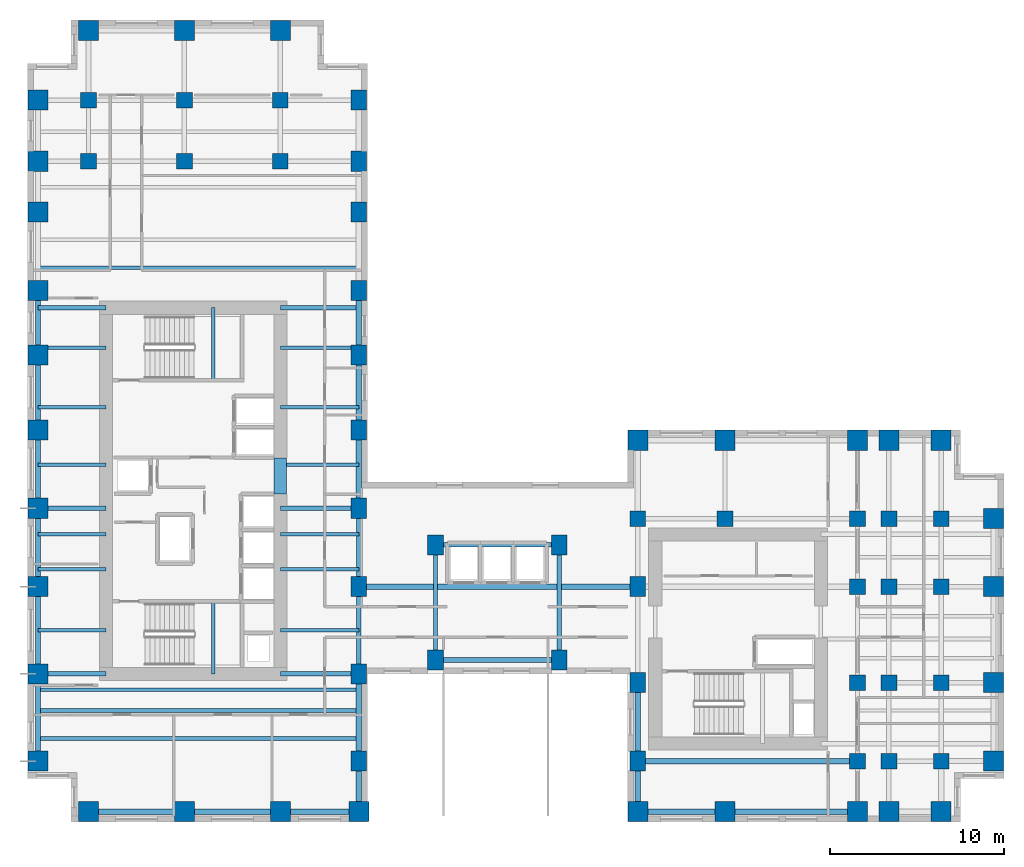
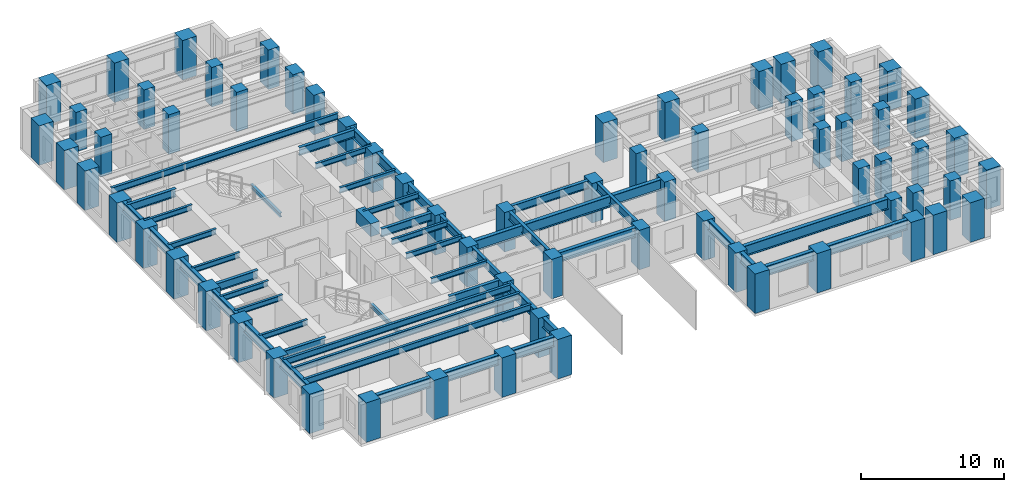
# One storey, part 1 of 11: 68 columns, 51 beams.
"""IFC4 building model written with IfcOpenShell, lengths in metres."""

from ifc_helpers import new_model, si_unit, direction, frame, origin, origin_2d, place, context, subcontext, project, spatial, rectangle, i_section, extrude, source, transform, mapped, material, material_profile, profile_set, type_object, element, save


model = new_model("IFC4")

# Units and contexts
model_context = context("Model", 3, precision=1e-05, world=origin(), true_north=direction((0.0, 1.0)))
body_context = subcontext(model_context, "Body", "Model", "MODEL_VIEW")
ifc_project = project(units=[si_unit("LENGTHUNIT", "METRE"), si_unit("AREAUNIT", "SQUARE_METRE"), si_unit("VOLUMEUNIT", "CUBIC_METRE"), si_unit("PLANEANGLEUNIT", "RADIAN"), si_unit("MASSUNIT", "GRAM", prefix="KILO")], contexts=[model_context])

# Site, building, storey
site_placement = place(None, origin())
site = spatial("IfcSite", under=ifc_project, at=site_placement, CompositionType="ELEMENT")
building_placement = place(site_placement, origin())
building = spatial("IfcBuilding", under=site, at=building_placement, Name="Kharzan Plaza Tower", CompositionType="ELEMENT")
storey_placement = place(building_placement, frame((0.0, 0.0, 120.60009765625)))
storey = spatial("IfcBuildingStorey", under=building, at=storey_placement, Name="L32", CompositionType="ELEMENT", Elevation=120.60009765625)

# Columns
ifc_material_1 = material(Name="Concrete C50/60", Category="concrete")
ifc_material_profile_1 = material_profile(ifc_material_1, rectangle(XDim=0.89990234375, YDim=0.89990234375, at=origin_2d()), Name="RC-IC900x900")
ifc_profile_set_1 = profile_set([ifc_material_profile_1], Name="Concrete C50/60")
column_type_1 = type_object("IfcColumnType", Name="COL-IC900", PredefinedType="COLUMN", material=ifc_profile_set_1)
shared_shape_1 = source(origin(), body_context, "Body", "SweptSolid", [
    extrude(rectangle(XDim=0.89990234375, YDim=0.89990234375, at=origin_2d()), origin(), (0.0, 0.0, 1.0), 3.3798828125),
])
for number, where, z_axis, x_axis, name in (
    (1, (47.60009765625, 13.5, 0.0), (0.0, 0.0, 1.0), (1.0, 0.0, 0.0), "L32 Structural Column TCBI-135"),
    (2, (47.60009765625, 3.5, 0.0), (0.0, 0.0, 1.0), (1.0, 0.0, 0.0), "L32 Structural Column TCBI-35"),
    (3, (47.60009765625, 8.0, 0.0), (0.0, 0.0, 1.0), (1.0, 0.0, 0.0), "L32 Structural Column TCBI-80"),
    (4, (35.0, 17.39990234375, 0.0), (0.0, 0.0, 1.0), (1.0, 0.0, 0.0), "L32 Structural Column TCBN-350-174"),
    (5, (40.0, 17.39990234375, 0.0), (0.0, 0.0, 1.0), (1.0, 0.0, 0.0), "L32 Structural Column TCBN-400-174"),
    (6, (47.60009765625, 17.39990234375, 0.0), (0.0, 0.0, 1.0), (1.0, 0.0, 0.0), "L32 Structural Column TCBN-476-174"),
    (7, (49.39990234375, 13.5, 0.0), (0.0, 0.0, 1.0), (1.0, 0.0, 0.0), "L32 Structural Column TCE-494-135"),
    (8, (49.39990234375, 17.39990234375, 0.0), (0.0, 0.0, 1.0), (1.0, 0.0, 0.0), "L32 Structural Column TCE-494-174"),
    (9, (49.39990234375, 3.5, 0.0), (0.0, 0.0, 1.0), (1.0, 0.0, 0.0), "L32 Structural Column TCE-494-35"),
    (10, (49.39990234375, 8.0, 0.0), (0.0, 0.0, 1.0), (1.0, 0.0, 0.0), "L32 Structural Column TCE-494-80"),
    (11, (52.39990234375, 13.5, 0.0), (0.0, 0.0, 1.0), (1.0, 0.0, 0.0), "L32 Structural Column TCE-524-135"),
    (12, (52.39990234375, 17.39990234375, 0.0), (0.0, 0.0, 1.0), (1.0, 0.0, 0.0), "L32 Structural Column TCE-524-174"),
    (13, (52.39990234375, 3.5, 0.0), (0.0, 0.0, 1.0), (1.0, 0.0, 0.0), "L32 Structural Column TCE-524-35"),
    (14, (52.39990234375, 8.0, 0.0), (0.0, 0.0, 1.0), (1.0, 0.0, 0.0), "L32 Structural Column TCE-524-80"),
    (15, (14.5, 37.89990234375, 0.0), (0.0, 0.0, 1.0), (1.0, 0.0, 0.0), "L32 Structural Column TCN-145-379"),
    (16, (14.5, 41.39990234375, 0.0), (0.0, 0.0, 1.0), (1.0, 0.0, 0.0), "L32 Structural Column TCN-145-414"),
    (17, (3.5, 37.89990234375, 0.0), (0.0, 0.0, 1.0), (1.0, 0.0, 0.0), "L32 Structural Column TCN-35-379"),
    (18, (3.5, 41.39990234375, 0.0), (0.0, 0.0, 1.0), (1.0, 0.0, 0.0), "L32 Structural Column TCN-35-414"),
    (19, (9.0, 37.89990234375, 0.0), (0.0, 0.0, 1.0), (1.0, 0.0, 0.0), "L32 Structural Column TCN-90-379"),
    (20, (9.0, 41.39990234375, 0.0), (0.0, 0.0, 1.0), (1.0, 0.0, 0.0), "L32 Structural Column TCN-90-414"),
):
    element("IfcColumn", number, at=place(storey_placement, frame(where, z_axis=z_axis, x_axis=x_axis)), inside=storey, type_object=column_type_1, Name=name, PredefinedType="COLUMN", context=body_context, shape_type="MappedRepresentation", body=[
        mapped(shared_shape_1, transform((0.0, 0.0, 0.0), x_axis=(1.0, 0.0, 0.0), y_axis=(0.0, 1.0, 0.0), z_axis=(0.0, 0.0, 1.0))),
    ])
ifc_material_2 = material(Name="Concrete C60/75", Category="concrete")
ifc_material_profile_2 = material_profile(ifc_material_2, rectangle(XDim=0.89990234375, YDim=1.14990234375, at=origin_2d()), Name="RC-SC1150x900")
ifc_profile_set_2 = profile_set([ifc_material_profile_2], Name="Concrete C60/75")
column_type_2 = type_object("IfcColumnType", Name="COL-SC1150", PredefinedType="COLUMN", material=ifc_profile_set_2)
shared_shape_2 = source(origin(), body_context, "Body", "SweptSolid", [
    extrude(rectangle(XDim=0.89990234375, YDim=1.14990234375, at=origin_2d()), origin(), (0.0, 0.0, 1.0), 3.3798828125),
])
for number, where, z_axis, x_axis, name in (
    (21, (19.0, 13.5, 0.0), (0.0, 0.0, 1.0), (1.0, 0.0, 0.0), "L32 Structural Column TCA-135"),
    (22, (19.0, 18.0, 0.0), (0.0, 0.0, 1.0), (1.0, 0.0, 0.0), "L32 Structural Column TCA-180"),
    (23, (19.0, 22.5, 0.0), (0.0, 0.0, 1.0), (1.0, 0.0, 0.0), "L32 Structural Column TCA-225"),
    (24, (19.0, 26.800048828125, 0.0), (0.0, 0.0, 1.0), (1.0, 0.0, 0.0), "L32 Structural Column TCA-268"),
    (25, (19.0, 30.5, 0.0), (0.0, 0.0, 1.0), (1.0, 0.0, 0.0), "L32 Structural Column TCA-305"),
    (26, (19.0, 3.5, 0.0), (0.0, 0.0, 1.0), (1.0, 0.0, 0.0), "L32 Structural Column TCA-35"),
    (27, (19.0, 35.0, 0.0), (0.0, 0.0, 1.0), (1.0, 0.0, 0.0), "L32 Structural Column TCA-350"),
    (28, (19.0, 37.89990234375, 0.0), (0.0, 0.0, 1.0), (1.0, 0.0, 0.0), "L32 Structural Column TCA-379"),
    (29, (19.0, 41.39990234375, 0.0), (0.0, 0.0, 1.0), (1.0, 0.0, 0.0), "L32 Structural Column TCA-414"),
    (30, (19.0, 8.5, 0.0), (0.0, 0.0, 1.0), (1.0, 0.0, 0.0), "L32 Structural Column TCA-85"),
    (31, (35.0, 13.5, 0.0), (0.0, 0.0, 1.0), (1.0, 0.0, 0.0), "L32 Structural Column TCBS-135"),
    (32, (35.0, 3.5, 0.0), (0.0, 0.0, 1.0), (1.0, 0.0, 0.0), "L32 Structural Column TCBS-35"),
    (33, (35.0, 8.0, 0.0), (0.0, 0.0, 1.0), (1.0, 0.0, 0.0), "L32 Structural Column TCBS-80"),
    (34, (23.39990234375, 15.89990234375, 0.0), (0.0, 0.0, 1.0), (1.0, 0.0, 0.0), "L32 Structural Column TCSP-234-159"),
    (35, (23.39990234375, 9.300048828125, 0.0), (0.0, 0.0, 1.0), (1.0, 0.0, 0.0), "L32 Structural Column TCSP-234-93"),
    (36, (30.5, 15.89990234375, 0.0), (0.0, 0.0, 1.0), (1.0, 0.0, 0.0), "L32 Structural Column TCSP-305-159"),
    (37, (30.5, 9.300048828125, 0.0), (0.0, 0.0, 1.0), (1.0, 0.0, 0.0), "L32 Structural Column TCSP-305-93"),
):
    element("IfcColumn", number, at=place(storey_placement, frame(where, z_axis=z_axis, x_axis=x_axis)), inside=storey, type_object=column_type_2, Name=name, PredefinedType="COLUMN", context=body_context, shape_type="MappedRepresentation", body=[
        mapped(shared_shape_2, transform((0.0, 0.0, 0.0), x_axis=(1.0, 0.0, 0.0), y_axis=(0.0, 1.0, 0.0), z_axis=(0.0, 0.0, 1.0))),
    ])
ifc_material_profile_3 = material_profile(ifc_material_2, rectangle(XDim=1.14990234375, YDim=1.14990234375, at=origin_2d()), Name="RC-TC1150x1150")
ifc_profile_set_3 = profile_set([ifc_material_profile_3], Name="Concrete C60/75")
column_type_3 = type_object("IfcColumnType", Name="COL-TC1150", PredefinedType="COLUMN", material=ifc_profile_set_3)
shared_shape_3 = source(origin(), body_context, "Body", "SweptSolid", [
    extrude(rectangle(XDim=1.14990234375, YDim=1.14990234375, at=origin_2d()), origin(), (0.0, 0.0, 1.0), 3.3798828125),
])
for number, where, z_axis, x_axis, name in (
    (38, (35.0, 21.89990234375, 0.0), (0.0, 0.0, 1.0), (1.0, 0.0, 0.0), "L32 Structural Column TCBN-350-219"),
    (39, (40.0, 21.89990234375, 0.0), (0.0, 0.0, 1.0), (1.0, 0.0, 0.0), "L32 Structural Column TCBN-400-219"),
    (40, (47.60009765625, 21.89990234375, 0.0), (0.0, 0.0, 1.0), (1.0, 0.0, 0.0), "L32 Structural Column TCBN-476-219"),
    (41, (49.39990234375, 21.89990234375, 0.0), (0.0, 0.0, 1.0), (1.0, 0.0, 0.0), "L32 Structural Column TCBN-494-219"),
    (42, (52.39990234375, 21.89990234375, 0.0), (0.0, 0.0, 1.0), (1.0, 0.0, 0.0), "L32 Structural Column TCBN-524-219"),
    (43, (55.39990234375, 13.5, 0.0), (0.0, 0.0, 1.0), (1.0, 0.0, 0.0), "L32 Structural Column TCE-554-135"),
    (44, (55.39990234375, 17.39990234375, 0.0), (0.0, 0.0, 1.0), (1.0, 0.0, 0.0), "L32 Structural Column TCE-554-174"),
    (45, (55.39990234375, 3.5, 0.0), (0.0, 0.0, 1.0), (1.0, 0.0, 0.0), "L32 Structural Column TCE-554-35"),
    (46, (55.39990234375, 8.0, 0.0), (0.0, 0.0, 1.0), (1.0, 0.0, 0.0), "L32 Structural Column TCE-554-80"),
    (47, (14.5, 45.39990234375, 0.0), (0.0, 0.0, 1.0), (1.0, 0.0, 0.0), "L32 Structural Column TCN-145-454"),
    (48, (3.5, 45.39990234375, 0.0), (0.0, 0.0, 1.0), (1.0, 0.0, 0.0), "L32 Structural Column TCN-35-454"),
    (49, (9.0, 45.39990234375, 0.0), (0.0, 0.0, 1.0), (1.0, 0.0, 0.0), "L32 Structural Column TCN-90-454"),
    (50, (14.5, 0.60009765625, 0.0), (0.0, 0.0, 1.0), (1.0, 0.0, 0.0), "L32 Structural Column TCS-145"),
    (51, (19.0, 0.60009765625, 0.0), (0.0, 0.0, 1.0), (1.0, 0.0, 0.0), "L32 Structural Column TCS-190"),
    (52, (3.5, 0.60009765625, 0.0), (0.0, 0.0, 1.0), (1.0, 0.0, 0.0), "L32 Structural Column TCS-35"),
    (53, (35.0, 0.60009765625, 0.0), (0.0, 0.0, 1.0), (1.0, 0.0, 0.0), "L32 Structural Column TCS-350"),
    (54, (40.0, 0.60009765625, 0.0), (0.0, 0.0, 1.0), (1.0, 0.0, 0.0), "L32 Structural Column TCS-400"),
    (55, (47.60009765625, 0.60009765625, 0.0), (0.0, 0.0, 1.0), (1.0, 0.0, 0.0), "L32 Structural Column TCS-476"),
    (56, (49.39990234375, 0.60009765625, 0.0), (0.0, 0.0, 1.0), (1.0, 0.0, 0.0), "L32 Structural Column TCS-494"),
    (57, (52.39990234375, 0.60009765625, 0.0), (0.0, 0.0, 1.0), (1.0, 0.0, 0.0), "L32 Structural Column TCS-524"),
    (58, (9.0, 0.60009765625, 0.0), (0.0, 0.0, 1.0), (1.0, 0.0, 0.0), "L32 Structural Column TCS-90"),
    (59, (0.60009765625, 13.5, 0.0), (0.0, 0.0, 1.0), (1.0, 0.0, 0.0), "L32 Structural Column TCW-135"),
    (60, (0.60009765625, 18.0, 0.0), (0.0, 0.0, 1.0), (1.0, 0.0, 0.0), "L32 Structural Column TCW-180"),
    (61, (0.60009765625, 22.5, 0.0), (0.0, 0.0, 1.0), (1.0, 0.0, 0.0), "L32 Structural Column TCW-225"),
    (62, (0.60009765625, 26.800048828125, 0.0), (0.0, 0.0, 1.0), (1.0, 0.0, 0.0), "L32 Structural Column TCW-268"),
    (63, (0.60009765625, 30.5, 0.0), (0.0, 0.0, 1.0), (1.0, 0.0, 0.0), "L32 Structural Column TCW-305"),
    (64, (0.60009765625, 3.5, 0.0), (0.0, 0.0, 1.0), (1.0, 0.0, 0.0), "L32 Structural Column TCW-35"),
    (65, (0.60009765625, 35.0, 0.0), (0.0, 0.0, 1.0), (1.0, 0.0, 0.0), "L32 Structural Column TCW-350"),
    (66, (0.60009765625, 37.89990234375, 0.0), (0.0, 0.0, 1.0), (1.0, 0.0, 0.0), "L32 Structural Column TCW-379"),
    (67, (0.60009765625, 41.39990234375, 0.0), (0.0, 0.0, 1.0), (1.0, 0.0, 0.0), "L32 Structural Column TCW-414"),
    (68, (0.60009765625, 8.5, 0.0), (0.0, 0.0, 1.0), (1.0, 0.0, 0.0), "L32 Structural Column TCW-85"),
):
    element("IfcColumn", number, at=place(storey_placement, frame(where, z_axis=z_axis, x_axis=x_axis)), inside=storey, type_object=column_type_3, Name=name, PredefinedType="COLUMN", context=body_context, shape_type="MappedRepresentation", body=[
        mapped(shared_shape_3, transform((0.0, 0.0, 0.0), x_axis=(1.0, 0.0, 0.0), y_axis=(0.0, 1.0, 0.0), z_axis=(0.0, 0.0, 1.0))),
    ])

# Beams
ifc_material_profile_4 = material_profile(ifc_material_2, rectangle(XDim=0.699951171875, YDim=1.10009765625, at=origin_2d()), Name="RC-CB1100x700")
ifc_profile_set_4 = profile_set([ifc_material_profile_4], Name="Concrete C60/75")
beam_type_1 = type_object("IfcBeamType", Name="BM-RCCB1100", PredefinedType="LINTEL", material=ifc_profile_set_4)
shared_shape_4 = source(origin(), body_context, "Body", "SweptSolid", [
    extrude(rectangle(XDim=0.699951171875, YDim=1.10009765625, at=origin_2d()), origin(), (0.0, 0.0, 1.0), 2.059814453125),
])
beam_1_placement = place(storey_placement, frame((14.5, 18.820068359375, 2.829833984375), z_axis=(0.0, 1.0, 0.0), x_axis=(-1.0, 0.0, 0.0)))
element("IfcBeam", 69, at=beam_1_placement, inside=storey, type_object=beam_type_1, Name="L32 CORE-A RC coupling beam CB1", PredefinedType="LINTEL", context=body_context, shape_type="MappedRepresentation", body=[
    mapped(shared_shape_4, transform((0.0, 0.0, 0.0), x_axis=(1.0, 0.0, 0.0), y_axis=(0.0, 1.0, 0.0), z_axis=(0.0, 0.0, 1.0))),
])
ifc_material_3 = material(Name="Steel S355", Category="steel")
ifc_material_profile_5 = material_profile(ifc_material_3, i_section(OverallWidth=0.205078125, OverallDepth=0.35400390625, WebThickness=0.009521484375, FlangeThickness=0.016845703125, at=origin_2d()), Name="W360x79")
ifc_profile_set_5 = profile_set([ifc_material_profile_5], Name="Steel S355")
beam_type_2 = type_object("IfcBeamType", Name="BM-LNT360", PredefinedType="LINTEL", material=ifc_profile_set_5)
shared_shape_5 = source(origin(), body_context, "Body", "SweptSolid", [
    extrude(i_section(OverallWidth=0.205078125, OverallDepth=0.35400390625, WebThickness=0.009521484375, FlangeThickness=0.016845703125, at=origin_2d()), origin(), (0.0, 0.0, 1.0), 4.155029296875),
])
for number, where, z_axis, x_axis, name in (
    (70, (10.64990234375, 8.5, 1.4228515625), (0.0, 1.0, 0.0), (-1.0, 0.0, 0.0), "L32 Stair ST-1 Half-Landing Beam"),
    (71, (10.64990234375, 25.344970703125, 1.4228515625), (0.0, 1.0, 0.0), (-1.0, 0.0, 0.0), "L32 Stair ST-2 Half-Landing Beam"),
):
    element("IfcBeam", number, at=place(storey_placement, frame(where, z_axis=z_axis, x_axis=x_axis)), inside=storey, type_object=beam_type_2, Name=name, PredefinedType="LINTEL", context=body_context, shape_type="MappedRepresentation", body=[
        mapped(shared_shape_5, transform((0.0, 0.0, 0.0), x_axis=(1.0, 0.0, 0.0), y_axis=(0.0, 1.0, 0.0), z_axis=(0.0, 0.0, 1.0))),
    ])
ifc_material_profile_6 = material_profile(ifc_material_3, i_section(OverallWidth=0.304931640625, OverallDepth=0.9189453125, WebThickness=0.017333984375, FlangeThickness=0.02783203125, at=origin_2d()), Name="W920x253")
ifc_profile_set_6 = profile_set([ifc_material_profile_6], Name="Steel S355")
beam_type_3 = type_object("IfcBeamType", Name="BM-FG920B", PredefinedType="BEAM", material=ifc_profile_set_6)
shared_shape_6 = source(origin(), body_context, "Body", "SweptSolid", [
    extrude(i_section(OverallWidth=0.304931640625, OverallDepth=0.9189453125, WebThickness=0.017333984375, FlangeThickness=0.02783203125, at=origin_2d()), origin(), (0.0, 0.0, 1.0), 12.60009765625),
])
beam_2_placement = place(storey_placement, frame((35.0, 3.5, 2.92041015625), z_axis=(1.0, 0.0, 0.0), x_axis=(0.0, 1.0, 0.0)))
element("IfcBeam", 72, at=beam_2_placement, inside=storey, type_object=beam_type_3, Name="L32 Primary Floor Girder", PredefinedType="BEAM", context=body_context, shape_type="MappedRepresentation", body=[
    mapped(shared_shape_6, transform((0.0, 0.0, 0.0), x_axis=(1.0, 0.0, 0.0), y_axis=(0.0, 1.0, 0.0), z_axis=(0.0, 0.0, 1.0))),
])
shared_shape_7 = source(origin(), body_context, "Body", "SweptSolid", [
    extrude(i_section(OverallWidth=0.304931640625, OverallDepth=0.9189453125, WebThickness=0.017333984375, FlangeThickness=0.02783203125, at=origin_2d()), origin(), (0.0, 0.0, 1.0), 16.0),
])
beam_3_placement = place(storey_placement, frame((19.0, 13.5, 2.92041015625), z_axis=(1.0, 0.0, 0.0), x_axis=(0.0, 1.0, 0.0)))
element("IfcBeam", 73, at=beam_3_placement, inside=storey, type_object=beam_type_3, Name="L32 Primary Floor Girder", PredefinedType="BEAM", context=body_context, shape_type="MappedRepresentation", body=[
    mapped(shared_shape_7, transform((0.0, 0.0, 0.0), x_axis=(1.0, 0.0, 0.0), y_axis=(0.0, 1.0, 0.0), z_axis=(0.0, 0.0, 1.0))),
])
ifc_material_profile_7 = material_profile(ifc_material_3, i_section(OverallWidth=0.2099609375, OverallDepth=0.537109375, WebThickness=0.010986328125, FlangeThickness=0.017333984375, at=origin_2d()), Name="W530x101")
ifc_profile_set_7 = profile_set([ifc_material_profile_7], Name="Steel S355")
beam_type_4 = type_object("IfcBeamType", Name="BM-JST530B", PredefinedType="JOIST", material=ifc_profile_set_7)
shared_shape_8 = source(origin(), body_context, "Body", "SweptSolid", [
    extrude(i_section(OverallWidth=0.2099609375, OverallDepth=0.537109375, WebThickness=0.010986328125, FlangeThickness=0.017333984375, at=origin_2d()), origin(), (0.0, 0.0, 1.0), 18.39990234375),
])
for number, where, z_axis, x_axis, name in (
    (74, (0.60009765625, 4.800048828125, 3.111328125), (1.0, 0.0, 0.0), (0.0, 1.0, 0.0), "L32 Wing A Composite Joist 01"),
    (75, (0.60009765625, 6.39990234375, 3.111328125), (1.0, 0.0, 0.0), (0.0, 1.0, 0.0), "L32 Wing A Composite Joist 02"),
    (76, (0.60009765625, 7.60009765625, 3.111328125), (1.0, 0.0, 0.0), (0.0, 1.0, 0.0), "L32 Wing A Composite Joist 03"),
    (77, (0.60009765625, 31.800048828125, 3.111328125), (1.0, 0.0, 0.0), (0.0, 1.0, 0.0), "L32 Wing A Composite Joist 04"),
):
    element("IfcBeam", number, at=place(storey_placement, frame(where, z_axis=z_axis, x_axis=x_axis)), inside=storey, type_object=beam_type_4, Name=name, PredefinedType="JOIST", context=body_context, shape_type="MappedRepresentation", body=[
        mapped(shared_shape_8, transform((0.0, 0.0, 0.0), x_axis=(1.0, 0.0, 0.0), y_axis=(0.0, 1.0, 0.0), z_axis=(0.0, 0.0, 1.0))),
    ])
ifc_material_profile_8 = material_profile(ifc_material_3, i_section(OverallWidth=0.194091796875, OverallDepth=0.468994140625, WebThickness=0.011474609375, FlangeThickness=0.0205078125, at=origin_2d()), Name="W460x106")
ifc_profile_set_8 = profile_set([ifc_material_profile_8], Name="Steel S355")
beam_type_5 = type_object("IfcBeamType", Name="BM-JST460", PredefinedType="JOIST", material=ifc_profile_set_8)
shared_shape_9 = source(origin(), body_context, "Body", "SweptSolid", [
    extrude(i_section(OverallWidth=0.194091796875, OverallDepth=0.468994140625, WebThickness=0.011474609375, FlangeThickness=0.0205078125, at=origin_2d()), origin(), (0.0, 0.0, 1.0), 4.5),
])
for number, where, z_axis, x_axis, name in (
    (78, (14.5, 11.0, 3.1455078125), (1.0, 0.0, 0.0), (0.0, 1.0, 0.0), "L32 Wing A East Infill Joist 1"),
    (79, (14.5, 14.5, 3.1455078125), (1.0, 0.0, 0.0), (0.0, 1.0, 0.0), "L32 Wing A East Infill Joist 2"),
    (80, (14.5, 16.5, 3.1455078125), (1.0, 0.0, 0.0), (0.0, 1.0, 0.0), "L32 Wing A East Infill Joist 3"),
    (81, (14.5, 20.5, 3.1455078125), (1.0, 0.0, 0.0), (0.0, 1.0, 0.0), "L32 Wing A East Infill Joist 4"),
    (82, (14.5, 23.800048828125, 3.1455078125), (1.0, 0.0, 0.0), (0.0, 1.0, 0.0), "L32 Wing A East Infill Joist 5"),
    (83, (14.5, 27.199951171875, 3.1455078125), (1.0, 0.0, 0.0), (0.0, 1.0, 0.0), "L32 Wing A East Infill Joist 6"),
):
    element("IfcBeam", number, at=place(storey_placement, frame(where, z_axis=z_axis, x_axis=x_axis)), inside=storey, type_object=beam_type_5, Name=name, PredefinedType="JOIST", context=body_context, shape_type="MappedRepresentation", body=[
        mapped(shared_shape_9, transform((0.0, 0.0, 0.0), x_axis=(1.0, 0.0, 0.0), y_axis=(0.0, 1.0, 0.0), z_axis=(0.0, 0.0, 1.0))),
    ])
shared_shape_10 = source(origin(), body_context, "Body", "SweptSolid", [
    extrude(i_section(OverallWidth=0.194091796875, OverallDepth=0.468994140625, WebThickness=0.011474609375, FlangeThickness=0.0205078125, at=origin_2d()), origin(), (0.0, 0.0, 1.0), 3.89990234375),
])
for number, where, z_axis, x_axis, name in (
    (84, (0.60009765625, 11.0, 3.1455078125), (1.0, 0.0, 0.0), (0.0, 1.0, 0.0), "L32 Wing A West Infill Joist 1"),
    (85, (0.60009765625, 14.5, 3.1455078125), (1.0, 0.0, 0.0), (0.0, 1.0, 0.0), "L32 Wing A West Infill Joist 2"),
    (86, (0.60009765625, 16.5, 3.1455078125), (1.0, 0.0, 0.0), (0.0, 1.0, 0.0), "L32 Wing A West Infill Joist 3"),
    (87, (0.60009765625, 20.5, 3.1455078125), (1.0, 0.0, 0.0), (0.0, 1.0, 0.0), "L32 Wing A West Infill Joist 4"),
    (88, (0.60009765625, 23.800048828125, 3.1455078125), (1.0, 0.0, 0.0), (0.0, 1.0, 0.0), "L32 Wing A West Infill Joist 5"),
    (89, (0.60009765625, 27.199951171875, 3.1455078125), (1.0, 0.0, 0.0), (0.0, 1.0, 0.0), "L32 Wing A West Infill Joist 6"),
):
    element("IfcBeam", number, at=place(storey_placement, frame(where, z_axis=z_axis, x_axis=x_axis)), inside=storey, type_object=beam_type_5, Name=name, PredefinedType="JOIST", context=body_context, shape_type="MappedRepresentation", body=[
        mapped(shared_shape_10, transform((0.0, 0.0, 0.0), x_axis=(1.0, 0.0, 0.0), y_axis=(0.0, 1.0, 0.0), z_axis=(0.0, 0.0, 1.0))),
    ])
ifc_material_profile_9 = material_profile(ifc_material_3, i_section(OverallWidth=0.25390625, OverallDepth=0.68798828125, WebThickness=0.01318359375, FlangeThickness=0.02099609375, at=origin_2d()), Name="W690x152")
ifc_profile_set_9 = profile_set([ifc_material_profile_9], Name="Steel S355")
beam_type_6 = type_object("IfcBeamType", Name="BM-FG690B", PredefinedType="BEAM", material=ifc_profile_set_9)
shared_shape_11 = source(origin(), body_context, "Body", "SweptSolid", [
    extrude(i_section(OverallWidth=0.25390625, OverallDepth=0.68798828125, WebThickness=0.01318359375, FlangeThickness=0.02099609375, at=origin_2d()), origin(), (0.0, 0.0, 1.0), 4.5),
])
for number, where, z_axis, x_axis, name in (
    (90, (14.5, 8.5, 3.035888671875), (1.0, 0.0, 0.0), (0.0, 1.0, 0.0), "L32 Core-A East Floor Girder 1"),
    (91, (14.5, 18.0, 3.035888671875), (1.0, 0.0, 0.0), (0.0, 1.0, 0.0), "L32 Core-A East Floor Girder 2"),
    (92, (14.5, 29.5, 3.035888671875), (1.0, 0.0, 0.0), (0.0, 1.0, 0.0), "L32 Core-A East Floor Girder 3"),
    (93, (19.0, 13.5, 3.035888671875), (0.0, 1.0, 0.0), (-1.0, 0.0, 0.0), "L32 Interior Frame Girder"),
):
    element("IfcBeam", number, at=place(storey_placement, frame(where, z_axis=z_axis, x_axis=x_axis)), inside=storey, type_object=beam_type_6, Name=name, PredefinedType="BEAM", context=body_context, shape_type="MappedRepresentation", body=[
        mapped(shared_shape_11, transform((0.0, 0.0, 0.0), x_axis=(1.0, 0.0, 0.0), y_axis=(0.0, 1.0, 0.0), z_axis=(0.0, 0.0, 1.0))),
    ])
shared_shape_12 = source(origin(), body_context, "Body", "SweptSolid", [
    extrude(i_section(OverallWidth=0.25390625, OverallDepth=0.68798828125, WebThickness=0.01318359375, FlangeThickness=0.02099609375, at=origin_2d()), origin(), (0.0, 0.0, 1.0), 3.89990234375),
])
for number, where, z_axis, x_axis, name in (
    (94, (0.60009765625, 8.5, 3.035888671875), (1.0, 0.0, 0.0), (0.0, 1.0, 0.0), "L32 Core-A West Floor Girder 1"),
    (95, (0.60009765625, 18.0, 3.035888671875), (1.0, 0.0, 0.0), (0.0, 1.0, 0.0), "L32 Core-A West Floor Girder 2"),
    (96, (0.60009765625, 29.5, 3.035888671875), (1.0, 0.0, 0.0), (0.0, 1.0, 0.0), "L32 Core-A West Floor Girder 3"),
):
    element("IfcBeam", number, at=place(storey_placement, frame(where, z_axis=z_axis, x_axis=x_axis)), inside=storey, type_object=beam_type_6, Name=name, PredefinedType="BEAM", context=body_context, shape_type="MappedRepresentation", body=[
        mapped(shared_shape_12, transform((0.0, 0.0, 0.0), x_axis=(1.0, 0.0, 0.0), y_axis=(0.0, 1.0, 0.0), z_axis=(0.0, 0.0, 1.0))),
    ])
shared_shape_13 = source(origin(), body_context, "Body", "SweptSolid", [
    extrude(i_section(OverallWidth=0.25390625, OverallDepth=0.68798828125, WebThickness=0.01318359375, FlangeThickness=0.02099609375, at=origin_2d()), origin(), (0.0, 0.0, 1.0), 5.0),
])
beam_4_placement = place(storey_placement, frame((19.0, 8.5, 3.035888671875), z_axis=(0.0, 1.0, 0.0), x_axis=(-1.0, 0.0, 0.0)))
element("IfcBeam", 97, at=beam_4_placement, inside=storey, type_object=beam_type_6, Name="L32 Interior Frame Girder", PredefinedType="BEAM", context=body_context, shape_type="MappedRepresentation", body=[
    mapped(shared_shape_13, transform((0.0, 0.0, 0.0), x_axis=(1.0, 0.0, 0.0), y_axis=(0.0, 1.0, 0.0), z_axis=(0.0, 0.0, 1.0))),
])
shared_shape_14 = source(origin(), body_context, "Body", "SweptSolid", [
    extrude(i_section(OverallWidth=0.25390625, OverallDepth=0.68798828125, WebThickness=0.01318359375, FlangeThickness=0.02099609375, at=origin_2d()), origin(), (0.0, 0.0, 1.0), 6.599853515625),
])
for number, where, z_axis, x_axis, name in (
    (98, (23.39990234375, 9.300048828125, 3.035888671875), (0.0, 1.0, 0.0), (-1.0, 0.0, 0.0), "L32 Interior Frame Girder"),
    (99, (30.5, 9.300048828125, 3.035888671875), (0.0, 1.0, 0.0), (-1.0, 0.0, 0.0), "L32 Interior Frame Girder"),
):
    element("IfcBeam", number, at=place(storey_placement, frame(where, z_axis=z_axis, x_axis=x_axis)), inside=storey, type_object=beam_type_6, Name=name, PredefinedType="BEAM", context=body_context, shape_type="MappedRepresentation", body=[
        mapped(shared_shape_14, transform((0.0, 0.0, 0.0), x_axis=(1.0, 0.0, 0.0), y_axis=(0.0, 1.0, 0.0), z_axis=(0.0, 0.0, 1.0))),
    ])
shared_shape_15 = source(origin(), body_context, "Body", "SweptSolid", [
    extrude(i_section(OverallWidth=0.25390625, OverallDepth=0.68798828125, WebThickness=0.01318359375, FlangeThickness=0.02099609375, at=origin_2d()), origin(), (0.0, 0.0, 1.0), 7.10009765625),
])
beam_5_placement = place(storey_placement, frame((23.39990234375, 15.89990234375, 3.035888671875), z_axis=(1.0, 0.0, 0.0), x_axis=(0.0, 1.0, 0.0)))
element("IfcBeam", 100, at=beam_5_placement, inside=storey, type_object=beam_type_6, Name="L32 Primary Floor Girder", PredefinedType="BEAM", context=body_context, shape_type="MappedRepresentation", body=[
    mapped(shared_shape_15, transform((0.0, 0.0, 0.0), x_axis=(1.0, 0.0, 0.0), y_axis=(0.0, 1.0, 0.0), z_axis=(0.0, 0.0, 1.0))),
])
ifc_material_profile_10 = material_profile(ifc_material_3, i_section(OverallWidth=0.299072265625, OverallDepth=0.845947265625, WebThickness=0.015380859375, FlangeThickness=0.0244140625, at=origin_2d()), Name="W840x210")
ifc_profile_set_10 = profile_set([ifc_material_profile_10], Name="Steel S355")
beam_type_7 = type_object("IfcBeamType", Name="BM-SP840B", PredefinedType="SPANDREL", material=ifc_profile_set_10)
shared_shape_16 = source(origin(), body_context, "Body", "SweptSolid", [
    extrude(i_section(OverallWidth=0.299072265625, OverallDepth=0.845947265625, WebThickness=0.015380859375, FlangeThickness=0.0244140625, at=origin_2d()), origin(), (0.0, 0.0, 1.0), 5.0),
])
for number, where, z_axis, x_axis, name in (
    (101, (0.60009765625, 3.5, 2.956787109375), (0.0, 1.0, 0.0), (-1.0, 0.0, 0.0), "L32 Perimeter Tube Spandrel"),
    (102, (0.60009765625, 8.5, 2.956787109375), (0.0, 1.0, 0.0), (-1.0, 0.0, 0.0), "L32 Perimeter Tube Spandrel"),
    (103, (19.0, 3.5, 2.956787109375), (0.0, 1.0, 0.0), (-1.0, 0.0, 0.0), "L32 Perimeter Tube Spandrel"),
    (104, (35.0, 0.60009765625, 2.956787109375), (1.0, 0.0, 0.0), (0.0, 1.0, 0.0), "L32 Perimeter Tube Spandrel"),
):
    element("IfcBeam", number, at=place(storey_placement, frame(where, z_axis=z_axis, x_axis=x_axis)), inside=storey, type_object=beam_type_7, Name=name, PredefinedType="SPANDREL", context=body_context, shape_type="MappedRepresentation", body=[
        mapped(shared_shape_16, transform((0.0, 0.0, 0.0), x_axis=(1.0, 0.0, 0.0), y_axis=(0.0, 1.0, 0.0), z_axis=(0.0, 0.0, 1.0))),
    ])
shared_shape_17 = source(origin(), body_context, "Body", "SweptSolid", [
    extrude(i_section(OverallWidth=0.299072265625, OverallDepth=0.845947265625, WebThickness=0.015380859375, FlangeThickness=0.0244140625, at=origin_2d()), origin(), (0.0, 0.0, 1.0), 4.5),
])
for number, where, z_axis, x_axis, name in (
    (105, (0.60009765625, 13.5, 2.956787109375), (0.0, 1.0, 0.0), (-1.0, 0.0, 0.0), "L32 Perimeter Tube Spandrel"),
    (106, (0.60009765625, 18.0, 2.956787109375), (0.0, 1.0, 0.0), (-1.0, 0.0, 0.0), "L32 Perimeter Tube Spandrel"),
    (107, (19.0, 18.0, 2.956787109375), (0.0, 1.0, 0.0), (-1.0, 0.0, 0.0), "L32 Perimeter Tube Spandrel"),
    (108, (35.0, 3.5, 2.956787109375), (0.0, 1.0, 0.0), (-1.0, 0.0, 0.0), "L32 Perimeter Tube Spandrel"),
    (109, (14.5, 0.60009765625, 2.956787109375), (1.0, 0.0, 0.0), (0.0, 1.0, 0.0), "L32 Perimeter Tube Spandrel"),
):
    element("IfcBeam", number, at=place(storey_placement, frame(where, z_axis=z_axis, x_axis=x_axis)), inside=storey, type_object=beam_type_7, Name=name, PredefinedType="SPANDREL", context=body_context, shape_type="MappedRepresentation", body=[
        mapped(shared_shape_17, transform((0.0, 0.0, 0.0), x_axis=(1.0, 0.0, 0.0), y_axis=(0.0, 1.0, 0.0), z_axis=(0.0, 0.0, 1.0))),
    ])
shared_shape_18 = source(origin(), body_context, "Body", "SweptSolid", [
    extrude(i_section(OverallWidth=0.299072265625, OverallDepth=0.845947265625, WebThickness=0.015380859375, FlangeThickness=0.0244140625, at=origin_2d()), origin(), (0.0, 0.0, 1.0), 4.300048828125),
])
for number, where, z_axis, x_axis, name in (
    (110, (0.60009765625, 22.5, 2.956787109375), (0.0, 1.0, 0.0), (-1.0, 0.0, 0.0), "L32 Perimeter Tube Spandrel"),
    (111, (19.0, 22.5, 2.956787109375), (0.0, 1.0, 0.0), (-1.0, 0.0, 0.0), "L32 Perimeter Tube Spandrel"),
):
    element("IfcBeam", number, at=place(storey_placement, frame(where, z_axis=z_axis, x_axis=x_axis)), inside=storey, type_object=beam_type_7, Name=name, PredefinedType="SPANDREL", context=body_context, shape_type="MappedRepresentation", body=[
        mapped(shared_shape_18, transform((0.0, 0.0, 0.0), x_axis=(1.0, 0.0, 0.0), y_axis=(0.0, 1.0, 0.0), z_axis=(0.0, 0.0, 1.0))),
    ])
shared_shape_19 = source(origin(), body_context, "Body", "SweptSolid", [
    extrude(i_section(OverallWidth=0.299072265625, OverallDepth=0.845947265625, WebThickness=0.015380859375, FlangeThickness=0.0244140625, at=origin_2d()), origin(), (0.0, 0.0, 1.0), 3.699951171875),
])
for number, where, z_axis, x_axis, name in (
    (112, (0.60009765625, 26.800048828125, 2.956787109375), (0.0, 1.0, 0.0), (-1.0, 0.0, 0.0), "L32 Perimeter Tube Spandrel"),
    (113, (19.0, 26.800048828125, 2.956787109375), (0.0, 1.0, 0.0), (-1.0, 0.0, 0.0), "L32 Perimeter Tube Spandrel"),
):
    element("IfcBeam", number, at=place(storey_placement, frame(where, z_axis=z_axis, x_axis=x_axis)), inside=storey, type_object=beam_type_7, Name=name, PredefinedType="SPANDREL", context=body_context, shape_type="MappedRepresentation", body=[
        mapped(shared_shape_19, transform((0.0, 0.0, 0.0), x_axis=(1.0, 0.0, 0.0), y_axis=(0.0, 1.0, 0.0), z_axis=(0.0, 0.0, 1.0))),
    ])
shared_shape_20 = source(origin(), body_context, "Body", "SweptSolid", [
    extrude(i_section(OverallWidth=0.299072265625, OverallDepth=0.845947265625, WebThickness=0.015380859375, FlangeThickness=0.0244140625, at=origin_2d()), origin(), (0.0, 0.0, 1.0), 2.89990234375),
])
for number, where, z_axis, x_axis, name in (
    (114, (19.0, 0.60009765625, 2.956787109375), (0.0, 1.0, 0.0), (-1.0, 0.0, 0.0), "L32 Perimeter Tube Spandrel"),
    (115, (35.0, 0.60009765625, 2.956787109375), (0.0, 1.0, 0.0), (-1.0, 0.0, 0.0), "L32 Perimeter Tube Spandrel"),
):
    element("IfcBeam", number, at=place(storey_placement, frame(where, z_axis=z_axis, x_axis=x_axis)), inside=storey, type_object=beam_type_7, Name=name, PredefinedType="SPANDREL", context=body_context, shape_type="MappedRepresentation", body=[
        mapped(shared_shape_20, transform((0.0, 0.0, 0.0), x_axis=(1.0, 0.0, 0.0), y_axis=(0.0, 1.0, 0.0), z_axis=(0.0, 0.0, 1.0))),
    ])
shared_shape_21 = source(origin(), body_context, "Body", "SweptSolid", [
    extrude(i_section(OverallWidth=0.299072265625, OverallDepth=0.845947265625, WebThickness=0.015380859375, FlangeThickness=0.0244140625, at=origin_2d()), origin(), (0.0, 0.0, 1.0), 5.5),
])
for number, where, z_axis, x_axis, name in (
    (116, (3.5, 0.60009765625, 2.956787109375), (1.0, 0.0, 0.0), (0.0, 1.0, 0.0), "L32 Perimeter Tube Spandrel"),
    (117, (9.0, 0.60009765625, 2.956787109375), (1.0, 0.0, 0.0), (0.0, 1.0, 0.0), "L32 Perimeter Tube Spandrel"),
):
    element("IfcBeam", number, at=place(storey_placement, frame(where, z_axis=z_axis, x_axis=x_axis)), inside=storey, type_object=beam_type_7, Name=name, PredefinedType="SPANDREL", context=body_context, shape_type="MappedRepresentation", body=[
        mapped(shared_shape_21, transform((0.0, 0.0, 0.0), x_axis=(1.0, 0.0, 0.0), y_axis=(0.0, 1.0, 0.0), z_axis=(0.0, 0.0, 1.0))),
    ])
shared_shape_22 = source(origin(), body_context, "Body", "SweptSolid", [
    extrude(i_section(OverallWidth=0.299072265625, OverallDepth=0.845947265625, WebThickness=0.015380859375, FlangeThickness=0.0244140625, at=origin_2d()), origin(), (0.0, 0.0, 1.0), 7.60009765625),
])
beam_6_placement = place(storey_placement, frame((40.0, 0.60009765625, 2.956787109375), z_axis=(1.0, 0.0, 0.0), x_axis=(0.0, 1.0, 0.0)))
element("IfcBeam", 118, at=beam_6_placement, inside=storey, type_object=beam_type_7, Name="L32 Perimeter Tube Spandrel", PredefinedType="SPANDREL", context=body_context, shape_type="MappedRepresentation", body=[
    mapped(shared_shape_22, transform((0.0, 0.0, 0.0), x_axis=(1.0, 0.0, 0.0), y_axis=(0.0, 1.0, 0.0), z_axis=(0.0, 0.0, 1.0))),
])
shared_shape_23 = source(origin(), body_context, "Body", "SweptSolid", [
    extrude(i_section(OverallWidth=0.299072265625, OverallDepth=0.845947265625, WebThickness=0.015380859375, FlangeThickness=0.0244140625, at=origin_2d()), origin(), (0.0, 0.0, 1.0), 7.10009765625),
])
beam_7_placement = place(storey_placement, frame((23.39990234375, 9.300048828125, 2.956787109375), z_axis=(1.0, 0.0, 0.0), x_axis=(0.0, 1.0, 0.0)))
element("IfcBeam", 119, at=beam_7_placement, inside=storey, type_object=beam_type_7, Name="L32 Perimeter Tube Spandrel", PredefinedType="SPANDREL", context=body_context, shape_type="MappedRepresentation", body=[
    mapped(shared_shape_23, transform((0.0, 0.0, 0.0), x_axis=(1.0, 0.0, 0.0), y_axis=(0.0, 1.0, 0.0), z_axis=(0.0, 0.0, 1.0))),
])

save(model, "model.ifc")
